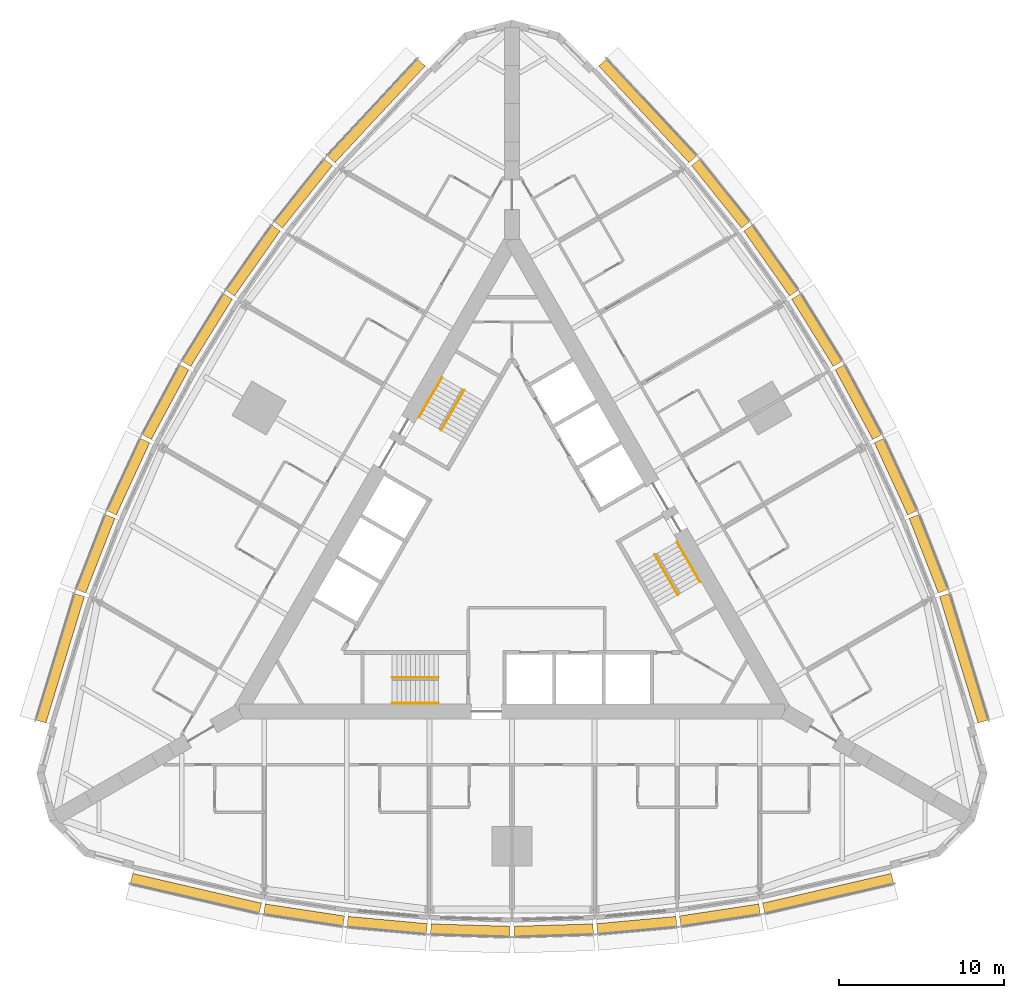
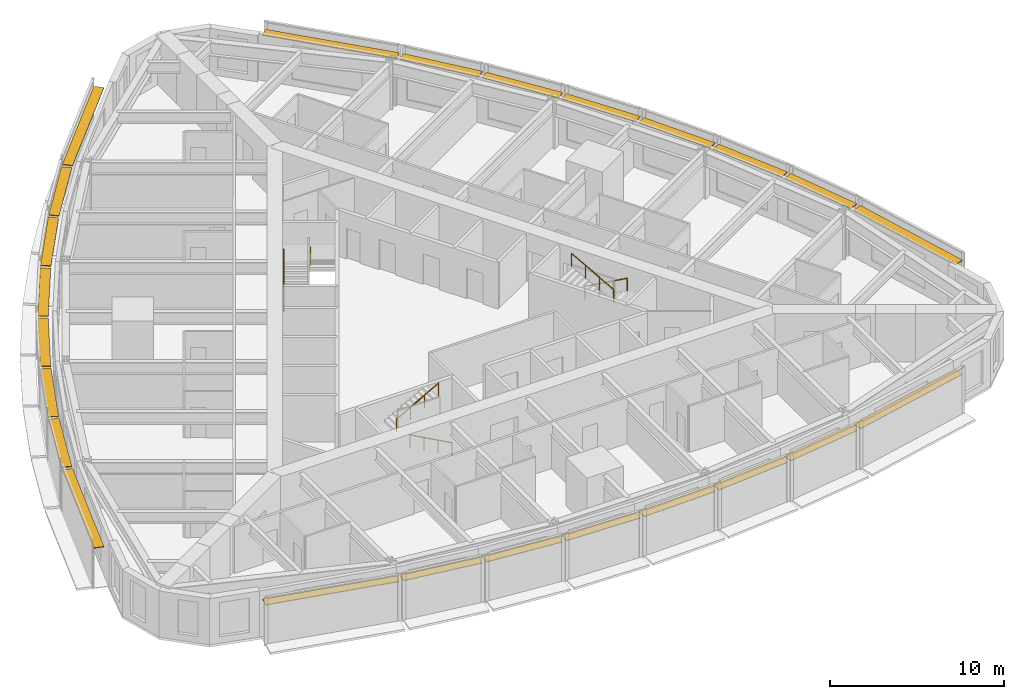
# One storey, part 14 of 14: 24 shading devices, 6 railings.
"""IFC4 building model written with IfcOpenShell, lengths in metres."""

from ifc_helpers import new_model, si_unit, direction, frame, origin, origin_2d, place, context, subcontext, project, spatial, rectangle, circle, extrude, material, type_object, element, save


model = new_model("IFC4")

# Units and contexts
model_context = context("Model", 3, precision=1e-05, world=origin(), true_north=direction((0.0, 1.0)))
body_context = subcontext(model_context, "Body", "Model", "MODEL_VIEW")
ifc_project = project(units=[si_unit("LENGTHUNIT", "METRE"), si_unit("AREAUNIT", "SQUARE_METRE"), si_unit("VOLUMEUNIT", "CUBIC_METRE"), si_unit("PLANEANGLEUNIT", "RADIAN"), si_unit("MASSUNIT", "GRAM", prefix="KILO")], contexts=[model_context])

# Site, building, storey
site_placement = place(None, origin())
site = spatial("IfcSite", under=ifc_project, at=site_placement, CompositionType="ELEMENT")
building_placement = place(site_placement, origin())
building = spatial("IfcBuilding", under=site, at=building_placement, Name="Trikona Tower", CompositionType="ELEMENT")
storey_placement = place(building_placement, frame((0.0, 0.0, 89.699951171875)))
storey = spatial("IfcBuildingStorey", under=building, at=storey_placement, Name="L23", CompositionType="ELEMENT", Elevation=89.699951171875)

# Shading devices
ifc_material_1 = material(Name="Aluminium louvre blade, pale anodised", Category="aluminium")
shading_device_type = type_object("IfcShadingDeviceType", Name="Cavity louvre 600", PredefinedType="USERDEFINED", material=ifc_material_1)
shading_device_1_placement = place(storey_placement, frame((-19.126220703125, -20.5234375, 2.77490234375), z_axis=(0.0, 0.0, 1.0), x_axis=(0.974277718622, -0.225350675607, 0.0)))
element("IfcShadingDevice", 1, at=shading_device_1_placement, inside=storey, type_object=shading_device_type, Name="Cavity louvre L23-00", ObjectType="LOUVRE", PredefinedType="USERDEFINED", context=body_context, shape_type="SweptSolid", body=[
    extrude(rectangle(XDim=8.01123046875, YDim=0.60009765625, at=origin_2d()), origin(), (0.0, 0.0, 1.0), 0.050048828125),
])
shading_device_2_placement = place(storey_placement, frame((-12.584228515625, -21.837158203125, 2.77490234375), z_axis=(0.0, 0.0, 1.0), x_axis=(0.988617896768, -0.150448177754, 0.0)))
element("IfcShadingDevice", 2, at=shading_device_2_placement, inside=storey, type_object=shading_device_type, Name="Cavity louvre L23-01", ObjectType="LOUVRE", PredefinedType="USERDEFINED", context=body_context, shape_type="SweptSolid", body=[
    extrude(rectangle(XDim=4.857666015625, YDim=0.60009765625, at=origin_2d()), origin(), (0.0, 0.0, 1.0), 0.050048828125),
])
shading_device_3_placement = place(storey_placement, frame((-7.55078125, -22.44970703125, 2.77490234375), z_axis=(0.0, 0.0, 1.0), x_axis=(0.995858098326, -0.090921108655, 0.0)))
element("IfcShadingDevice", 3, at=shading_device_3_placement, inside=storey, type_object=shading_device_type, Name="Cavity louvre L23-02", ObjectType="LOUVRE", PredefinedType="USERDEFINED", context=body_context, shape_type="SweptSolid", body=[
    extrude(rectangle(XDim=4.82080078125, YDim=0.60009765625, at=origin_2d()), origin(), (0.0, 0.0, 1.0), 0.050048828125),
])
for number, where, z_axis, x_axis, name in (
    (4, (-2.51708984375, -22.756103515625, 2.77490234375), (0.0, 0.0, 1.0), (0.999537048889, -0.030425119525, 0.0), "Cavity louvre L23-03"),
    (5, (2.51708984375, -22.756103515625, 2.77490234375), (0.0, 0.0, 1.0), (0.999537048889, 0.030425119525, 0.0), "Cavity louvre L23-04"),
):
    element("IfcShadingDevice", number, at=place(storey_placement, frame(where, z_axis=z_axis, x_axis=x_axis)), inside=storey, type_object=shading_device_type, Name=name, ObjectType="LOUVRE", PredefinedType="USERDEFINED", context=body_context, shape_type="SweptSolid", body=[
        extrude(rectangle(XDim=4.80224609375, YDim=0.60009765625, at=origin_2d()), origin(), (0.0, 0.0, 1.0), 0.050048828125),
    ])
shading_device_4_placement = place(storey_placement, frame((7.55078125, -22.44970703125, 2.77490234375), z_axis=(0.0, 0.0, 1.0), x_axis=(0.995858098326, 0.090921108655, 0.0)))
element("IfcShadingDevice", 6, at=shading_device_4_placement, inside=storey, type_object=shading_device_type, Name="Cavity louvre L23-05", ObjectType="LOUVRE", PredefinedType="USERDEFINED", context=body_context, shape_type="SweptSolid", body=[
    extrude(rectangle(XDim=4.82080078125, YDim=0.60009765625, at=origin_2d()), origin(), (0.0, 0.0, 1.0), 0.050048828125),
])
shading_device_5_placement = place(storey_placement, frame((12.584228515625, -21.837158203125, 2.77490234375), z_axis=(0.0, 0.0, 1.0), x_axis=(0.988617896768, 0.150448177754, 0.0)))
element("IfcShadingDevice", 7, at=shading_device_5_placement, inside=storey, type_object=shading_device_type, Name="Cavity louvre L23-06", ObjectType="LOUVRE", PredefinedType="USERDEFINED", context=body_context, shape_type="SweptSolid", body=[
    extrude(rectangle(XDim=4.857666015625, YDim=0.60009765625, at=origin_2d()), origin(), (0.0, 0.0, 1.0), 0.050048828125),
])
for number, where, z_axis, x_axis, name in (
    (8, (19.126220703125, -20.5234375, 2.77490234375), (0.0, 0.0, 1.0), (0.974277718622, 0.225350675607, 0.0), "Cavity louvre L23-07"),
    (9, (27.3369140625, -6.302001953125, 2.77490234375), (0.0, 0.0, 1.0), (-0.291979449475, 0.956424592471, 0.0), "Cavity louvre L23-12"),
):
    element("IfcShadingDevice", number, at=place(storey_placement, frame(where, z_axis=z_axis, x_axis=x_axis)), inside=storey, type_object=shading_device_type, Name=name, ObjectType="LOUVRE", PredefinedType="USERDEFINED", context=body_context, shape_type="SweptSolid", body=[
        extrude(rectangle(XDim=8.01123046875, YDim=0.60009765625, at=origin_2d()), origin(), (0.0, 0.0, 1.0), 0.050048828125),
    ])
shading_device_6_placement = place(storey_placement, frame((25.20361328125, 0.020263671875, 2.77490234375), z_axis=(0.0, 0.0, 1.0), x_axis=(-0.364008876551, 0.931395478726, 0.0)))
element("IfcShadingDevice", 10, at=shading_device_6_placement, inside=storey, type_object=shading_device_type, Name="Cavity louvre L23-13", ObjectType="LOUVRE", PredefinedType="USERDEFINED", context=body_context, shape_type="SweptSolid", body=[
    extrude(rectangle(XDim=4.857666015625, YDim=0.60009765625, at=origin_2d()), origin(), (0.0, 0.0, 1.0), 0.050048828125),
])
shading_device_7_placement = place(storey_placement, frame((23.217529296875, 4.685546875, 2.77490234375), z_axis=(0.0, 0.0, 1.0), x_axis=(-0.41919381307, 0.907896771161, 0.0)))
element("IfcShadingDevice", 11, at=shading_device_7_placement, inside=storey, type_object=shading_device_type, Name="Cavity louvre L23-14", ObjectType="LOUVRE", PredefinedType="USERDEFINED", context=body_context, shape_type="SweptSolid", body=[
    extrude(rectangle(XDim=4.82080078125, YDim=0.60009765625, at=origin_2d()), origin(), (0.0, 0.0, 1.0), 0.050048828125),
])
for number, where, z_axis, x_axis, name in (
    (12, (20.966064453125, 9.1982421875, 2.77490234375), (0.0, 0.0, 1.0), (-0.473422672721, 0.880835383572, 0.0), "Cavity louvre L23-15"),
    (13, (18.448974609375, 13.557861328125, 2.77490234375), (0.0, 0.0, 1.0), (-0.526118935114, 0.85041099835, 0.0), "Cavity louvre L23-16"),
):
    element("IfcShadingDevice", number, at=place(storey_placement, frame(where, z_axis=z_axis, x_axis=x_axis)), inside=storey, type_object=shading_device_type, Name=name, ObjectType="LOUVRE", PredefinedType="USERDEFINED", context=body_context, shape_type="SweptSolid", body=[
        extrude(rectangle(XDim=4.80224609375, YDim=0.60009765625, at=origin_2d()), origin(), (0.0, 0.0, 1.0), 0.050048828125),
    ])
shading_device_8_placement = place(storey_placement, frame((15.666748046875, 17.76416015625, 2.77490234375), z_axis=(0.0, 0.0, 1.0), x_axis=(-0.576661909499, 0.816982889743, 0.0)))
element("IfcShadingDevice", 14, at=shading_device_8_placement, inside=storey, type_object=shading_device_type, Name="Cavity louvre L23-17", ObjectType="LOUVRE", PredefinedType="USERDEFINED", context=body_context, shape_type="SweptSolid", body=[
    extrude(rectangle(XDim=4.82080078125, YDim=0.60009765625, at=origin_2d()), origin(), (0.0, 0.0, 1.0), 0.050048828125),
])
shading_device_9_placement = place(storey_placement, frame((12.619384765625, 21.81689453125, 2.77490234375), z_axis=(0.0, 0.0, 1.0), x_axis=(-0.624603618277, 0.780941944087, 0.0)))
element("IfcShadingDevice", 15, at=shading_device_9_placement, inside=storey, type_object=shading_device_type, Name="Cavity louvre L23-18", ObjectType="LOUVRE", PredefinedType="USERDEFINED", context=body_context, shape_type="SweptSolid", body=[
    extrude(rectangle(XDim=4.857666015625, YDim=0.60009765625, at=origin_2d()), origin(), (0.0, 0.0, 1.0), 0.050048828125),
])
for number, where, z_axis, x_axis, name in (
    (16, (8.210693359375, 26.825439453125, 2.77490234375), (0.0, 0.0, 1.0), (-0.682298269147, 0.731073916864, 0.0), "Cavity louvre L23-19"),
    (17, (-8.210693359375, 26.825439453125, 2.77490234375), (0.0, 0.0, 1.0), (-0.682298269147, -0.731073916864, 0.0), "Cavity louvre L23-24"),
):
    element("IfcShadingDevice", number, at=place(storey_placement, frame(where, z_axis=z_axis, x_axis=x_axis)), inside=storey, type_object=shading_device_type, Name=name, ObjectType="LOUVRE", PredefinedType="USERDEFINED", context=body_context, shape_type="SweptSolid", body=[
        extrude(rectangle(XDim=8.01123046875, YDim=0.60009765625, at=origin_2d()), origin(), (0.0, 0.0, 1.0), 0.050048828125),
    ])
shading_device_10_placement = place(storey_placement, frame((-12.619384765625, 21.81689453125, 2.77490234375), z_axis=(0.0, 0.0, 1.0), x_axis=(-0.624603618277, -0.780941944087, 0.0)))
element("IfcShadingDevice", 18, at=shading_device_10_placement, inside=storey, type_object=shading_device_type, Name="Cavity louvre L23-25", ObjectType="LOUVRE", PredefinedType="USERDEFINED", context=body_context, shape_type="SweptSolid", body=[
    extrude(rectangle(XDim=4.857666015625, YDim=0.60009765625, at=origin_2d()), origin(), (0.0, 0.0, 1.0), 0.050048828125),
])
shading_device_11_placement = place(storey_placement, frame((-15.666748046875, 17.76416015625, 2.77490234375), z_axis=(0.0, 0.0, 1.0), x_axis=(-0.576661909499, -0.816982889743, 0.0)))
element("IfcShadingDevice", 19, at=shading_device_11_placement, inside=storey, type_object=shading_device_type, Name="Cavity louvre L23-26", ObjectType="LOUVRE", PredefinedType="USERDEFINED", context=body_context, shape_type="SweptSolid", body=[
    extrude(rectangle(XDim=4.82080078125, YDim=0.60009765625, at=origin_2d()), origin(), (0.0, 0.0, 1.0), 0.050048828125),
])
for number, where, z_axis, x_axis, name in (
    (20, (-18.448974609375, 13.557861328125, 2.77490234375), (0.0, 0.0, 1.0), (-0.526118935114, -0.85041099835, 0.0), "Cavity louvre L23-27"),
    (21, (-20.966064453125, 9.1982421875, 2.77490234375), (0.0, 0.0, 1.0), (-0.473422672721, -0.880835383572, 0.0), "Cavity louvre L23-28"),
):
    element("IfcShadingDevice", number, at=place(storey_placement, frame(where, z_axis=z_axis, x_axis=x_axis)), inside=storey, type_object=shading_device_type, Name=name, ObjectType="LOUVRE", PredefinedType="USERDEFINED", context=body_context, shape_type="SweptSolid", body=[
        extrude(rectangle(XDim=4.80224609375, YDim=0.60009765625, at=origin_2d()), origin(), (0.0, 0.0, 1.0), 0.050048828125),
    ])
shading_device_12_placement = place(storey_placement, frame((-23.217529296875, 4.685546875, 2.77490234375), z_axis=(0.0, 0.0, 1.0), x_axis=(-0.41919381307, -0.907896771161, 0.0)))
element("IfcShadingDevice", 22, at=shading_device_12_placement, inside=storey, type_object=shading_device_type, Name="Cavity louvre L23-29", ObjectType="LOUVRE", PredefinedType="USERDEFINED", context=body_context, shape_type="SweptSolid", body=[
    extrude(rectangle(XDim=4.82080078125, YDim=0.60009765625, at=origin_2d()), origin(), (0.0, 0.0, 1.0), 0.050048828125),
])
shading_device_13_placement = place(storey_placement, frame((-25.20361328125, 0.020263671875, 2.77490234375), z_axis=(0.0, 0.0, 1.0), x_axis=(-0.364008876551, -0.931395478726, 0.0)))
element("IfcShadingDevice", 23, at=shading_device_13_placement, inside=storey, type_object=shading_device_type, Name="Cavity louvre L23-30", ObjectType="LOUVRE", PredefinedType="USERDEFINED", context=body_context, shape_type="SweptSolid", body=[
    extrude(rectangle(XDim=4.857666015625, YDim=0.60009765625, at=origin_2d()), origin(), (0.0, 0.0, 1.0), 0.050048828125),
])
shading_device_14_placement = place(storey_placement, frame((-27.3369140625, -6.302001953125, 2.77490234375), z_axis=(0.0, 0.0, 1.0), x_axis=(-0.291979449475, -0.956424592471, 0.0)))
element("IfcShadingDevice", 24, at=shading_device_14_placement, inside=storey, type_object=shading_device_type, Name="Cavity louvre L23-31", ObjectType="LOUVRE", PredefinedType="USERDEFINED", context=body_context, shape_type="SweptSolid", body=[
    extrude(rectangle(XDim=8.01123046875, YDim=0.60009765625, at=origin_2d()), origin(), (0.0, 0.0, 1.0), 0.050048828125),
])

# Railings
ifc_material_2 = material(Name="Stainless steel handrail", Category="steel")
railing_type = type_object("IfcRailingType", Name="Stair handrail", PredefinedType="HANDRAIL", material=ifc_material_2)
railing_1_placement = place(storey_placement, frame((-4.449951171875, -9.016357421875, 0.154541015625)))
element("IfcRailing", 25, at=railing_1_placement, inside=storey, type_object=railing_type, Name="Stair handrail A L23 1", PredefinedType="HANDRAIL", context=body_context, shape_type="SweptSolid", body=[
    extrude(circle(Radius=0.02392578125, at=origin_2d()), frame((0.0, 0.0, 0.8759765625), z_axis=(-0.875504190374, 0.0, 0.483210526207), x_axis=(0.0, -1.0, 0.0)), (0.0, 0.0, 1.0), 3.1982421875),
    extrude(circle(Radius=0.02099609375, at=origin_2d()), origin(), (0.0, 0.0, 1.0), 0.851806640625),
    extrude(circle(Radius=0.02099609375, at=origin_2d()), frame((-0.933349609375, 0.0, 0.51513671875)), (0.0, 0.0, 1.0), 0.851806640625),
    extrude(circle(Radius=0.02099609375, at=origin_2d()), frame((-1.86669921875, 0.0, 1.0302734375)), (0.0, 0.0, 1.0), 0.851806640625),
    extrude(circle(Radius=0.02099609375, at=origin_2d()), frame((-2.800048828125, 0.0, 1.54541015625)), (0.0, 0.0, 1.0), 0.851806640625),
])
railing_2_placement = place(storey_placement, frame((-7.25, -7.46630859375, 1.8544921875)))
element("IfcRailing", 26, at=railing_2_placement, inside=storey, type_object=railing_type, Name="Stair handrail A L23 2", PredefinedType="HANDRAIL", context=body_context, shape_type="SweptSolid", body=[
    extrude(circle(Radius=0.02392578125, at=origin_2d()), frame((0.0, 0.0, 0.8759765625), z_axis=(0.875471895205, 0.0, 0.483269035534), x_axis=(0.0, 1.0, 0.0)), (0.0, 0.0, 1.0), 3.1982421875),
    extrude(circle(Radius=0.02099609375, at=origin_2d()), origin(), (0.0, 0.0, 1.0), 0.851806640625),
    extrude(circle(Radius=0.02099609375, at=origin_2d()), frame((0.933349609375, 0.0, 0.51513671875)), (0.0, 0.0, 1.0), 0.851806640625),
    extrude(circle(Radius=0.02099609375, at=origin_2d()), frame((1.86669921875, 0.0, 1.030517578125)), (0.0, 0.0, 1.0), 0.851806640625),
    extrude(circle(Radius=0.02099609375, at=origin_2d()), frame((2.800048828125, 0.0, 1.545654296875)), (0.0, 0.0, 1.0), 0.851806640625),
])
railing_3_placement = place(storey_placement, frame((9.9833984375, 0.740966796875, 0.154541015625)))
element("IfcRailing", 27, at=railing_3_placement, inside=storey, type_object=railing_type, Name="Stair handrail B L23 1", PredefinedType="HANDRAIL", context=body_context, shape_type="SweptSolid", body=[
    extrude(circle(Radius=0.02392578125, at=origin_2d()), frame((0.0, 0.0, 0.8759765625), z_axis=(0.437707188162, -0.758239536103, 0.483203087036), x_axis=(0.866056369097, 0.49994636267, 0.0)), (0.0, 0.0, 1.0), 3.1982421875),
    extrude(circle(Radius=0.02099609375, at=origin_2d()), origin(), (0.0, 0.0, 1.0), 0.851806640625),
    extrude(circle(Radius=0.02099609375, at=origin_2d()), frame((0.466552734375, -0.808349609375, 0.51513671875)), (0.0, 0.0, 1.0), 0.851806640625),
    extrude(circle(Radius=0.02099609375, at=origin_2d()), frame((0.933349609375, -1.61669921875, 1.0302734375)), (0.0, 0.0, 1.0), 0.851806640625),
    extrude(circle(Radius=0.02099609375, at=origin_2d()), frame((1.39990234375, -2.425048828125, 1.54541015625)), (0.0, 0.0, 1.0), 0.851806640625),
])
railing_4_placement = place(storey_placement, frame((10.041015625, -2.458984375, 1.8544921875)))
element("IfcRailing", 28, at=railing_4_placement, inside=storey, type_object=railing_type, Name="Stair handrail B L23 2", PredefinedType="HANDRAIL", context=body_context, shape_type="SweptSolid", body=[
    extrude(circle(Radius=0.02392578125, at=origin_2d()), frame((0.0, 0.0, 0.8759765625), z_axis=(-0.437691042731, 0.758211567396, 0.483261596012), x_axis=(-0.866056369097, -0.49994636267, 0.0)), (0.0, 0.0, 1.0), 3.198486328125),
    extrude(circle(Radius=0.02099609375, at=origin_2d()), origin(), (0.0, 0.0, 1.0), 0.851806640625),
    extrude(circle(Radius=0.02099609375, at=origin_2d()), frame((-0.466552734375, 0.808349609375, 0.51513671875)), (0.0, 0.0, 1.0), 0.851806640625),
    extrude(circle(Radius=0.02099609375, at=origin_2d()), frame((-0.933349609375, 1.61669921875, 1.030517578125)), (0.0, 0.0, 1.0), 0.851806640625),
    extrude(circle(Radius=0.02099609375, at=origin_2d()), frame((-1.39990234375, 2.425048828125, 1.545654296875)), (0.0, 0.0, 1.0), 0.851806640625),
])
railing_5_placement = place(storey_placement, frame((-5.63330078125, 8.275390625, 0.154541015625)))
element("IfcRailing", 29, at=railing_5_placement, inside=storey, type_object=railing_type, Name="Stair handrail C L23 1", PredefinedType="HANDRAIL", context=body_context, shape_type="SweptSolid", body=[
    extrude(circle(Radius=0.02392578125, at=origin_2d()), frame((0.0, 0.0, 0.8759765625), z_axis=(0.437732523806, 0.758207085183, 0.483231056102), x_axis=(-0.866034573852, 0.49998411664, 0.0)), (0.0, 0.0, 1.0), 3.197998046875),
    extrude(circle(Radius=0.02099609375, at=origin_2d()), origin(), (0.0, 0.0, 1.0), 0.851806640625),
    extrude(circle(Radius=0.02099609375, at=origin_2d()), frame((0.466552734375, 0.808349609375, 0.51513671875)), (0.0, 0.0, 1.0), 0.851806640625),
    extrude(circle(Radius=0.02099609375, at=origin_2d()), frame((0.933349609375, 1.616455078125, 1.0302734375)), (0.0, 0.0, 1.0), 0.851806640625),
    extrude(circle(Radius=0.02099609375, at=origin_2d()), frame((1.39990234375, 2.4248046875, 1.54541015625)), (0.0, 0.0, 1.0), 0.851806640625),
])
railing_6_placement = place(storey_placement, frame((-2.89111328125, 9.92529296875, 1.8544921875)))
element("IfcRailing", 30, at=railing_6_placement, inside=storey, type_object=railing_type, Name="Stair handrail C L23 2", PredefinedType="HANDRAIL", context=body_context, shape_type="SweptSolid", body=[
    extrude(circle(Radius=0.02392578125, at=origin_2d()), frame((0.0, 0.0, 0.8759765625), z_axis=(-0.437691042731, -0.758211567396, 0.483261596012), x_axis=(0.866056369097, -0.49994636267, 0.0)), (0.0, 0.0, 1.0), 3.198486328125),
    extrude(circle(Radius=0.02099609375, at=origin_2d()), origin(), (0.0, 0.0, 1.0), 0.851806640625),
    extrude(circle(Radius=0.02099609375, at=origin_2d()), frame((-0.466552734375, -0.808349609375, 0.51513671875)), (0.0, 0.0, 1.0), 0.851806640625),
    extrude(circle(Radius=0.02099609375, at=origin_2d()), frame((-0.933349609375, -1.61669921875, 1.030517578125)), (0.0, 0.0, 1.0), 0.851806640625),
    extrude(circle(Radius=0.02099609375, at=origin_2d()), frame((-1.39990234375, -2.425048828125, 1.545654296875)), (0.0, 0.0, 1.0), 0.851806640625),
])

save(model, "model.ifc")
